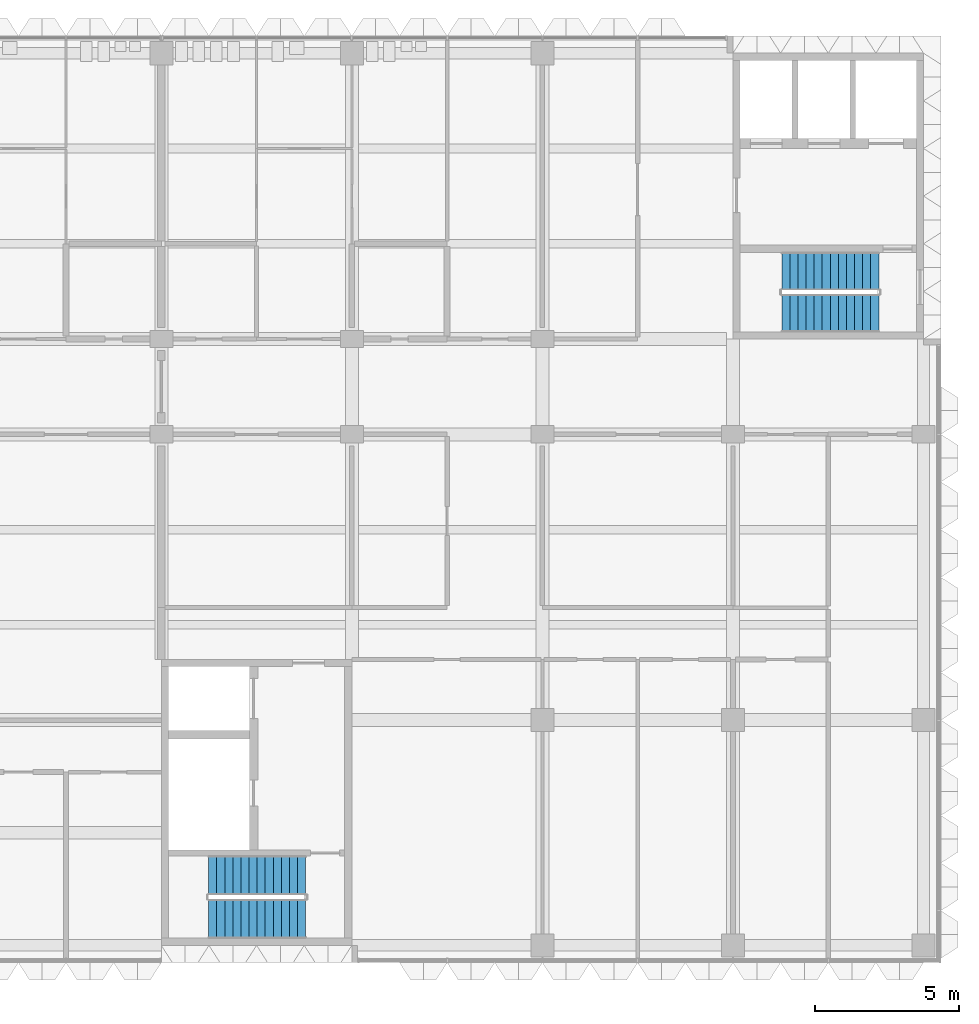
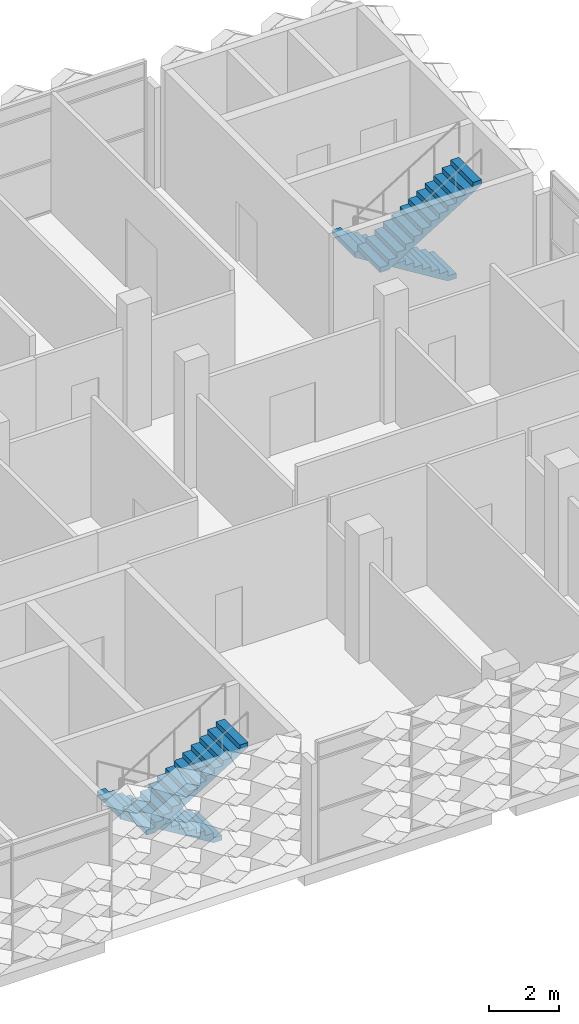
# One storey, part 26 of 61: 4 stair flights, 2 elements without a shape of their own.
"""IFC4 building model written with IfcOpenShell, lengths in metres."""

from ifc_helpers import new_model, si_unit, direction, frame, origin, place, context, subcontext, project, spatial, polyline, outline, extrude, material, type_object, element, aggregate, save


model = new_model("IFC4")

# Units and contexts
model_context = context("Model", 3, precision=1e-05, world=origin(), true_north=direction((0.0, 1.0)))
body_context = subcontext(model_context, "Body", "Model", "MODEL_VIEW")
ifc_project = project(units=[si_unit("LENGTHUNIT", "METRE"), si_unit("AREAUNIT", "SQUARE_METRE"), si_unit("VOLUMEUNIT", "CUBIC_METRE"), si_unit("PLANEANGLEUNIT", "RADIAN"), si_unit("MASSUNIT", "GRAM", prefix="KILO")], contexts=[model_context])

# Site, building, storey
site_placement = place(None, origin())
site = spatial("IfcSite", under=ifc_project, at=site_placement, CompositionType="ELEMENT")
building_placement = place(site_placement, origin())
building = spatial("IfcBuilding", under=site, at=building_placement, Name="Lantern Court Research Institute", CompositionType="ELEMENT")
storey_placement = place(building_placement, frame((0.0, 0.0, 23.39990234375)))
storey = spatial("IfcBuildingStorey", under=building, at=storey_placement, Name="L05", CompositionType="ELEMENT", Elevation=23.39990234375)

# Stair, stair flights
ifc_material_1 = material(Name="Concrete C40/50", Category="concrete")
stair_type_1 = type_object("IfcStairType", Name="RC half-turn stair 1300 wide, 4500 rise, 6100 shaft", PredefinedType="HALF_TURN_STAIR", material=ifc_material_1)
stair_1_placement = place(storey_placement, origin())
stair_1 = element("IfcStair", 1, at=stair_1_placement, inside=storey, type_object=stair_type_1, Name="L05 stair ST-T2", PredefinedType="HALF_TURN_STAIR")
ifc_material_2 = material(Name="Concrete C40/50", Category="concrete")
stair_flight_type_1 = type_object("IfcStairFlightType", Name="RC stair flight 1300 wide, 13 risers of 173, going 280", PredefinedType="STRAIGHT", material=ifc_material_2)
stair_flight_1_placement = place(storey_placement, frame((77.64990234375, 15.550048828125, 0.0), z_axis=(0.0, 0.0, 1.0), x_axis=(-1.0, 0.0, 0.0)))
stair_flight_1 = element("IfcStairFlight", 2, at=stair_flight_1_placement, type_object=stair_flight_type_1, Name="ST-T2 flight 1", NumberOfRisers=13, NumberOfTreads=12, PredefinedType="STRAIGHT", RiserHeight=0.173076923, TreadLength=0.28, context=body_context, shape_type="SweptSolid", body=[
    extrude(outline(polyline([(0.0, 0.0), (0.0, 0.173095703125), (0.280029296875, 0.173095703125), (0.280029296875, 0.34619140625), (0.56005859375, 0.34619140625), (0.56005859375, 0.519287109375), (0.840087890625, 0.519287109375), (0.840087890625, 0.6923828125), (1.1201171875, 0.6923828125), (1.1201171875, 0.865478515625), (1.39990234375, 0.865478515625), (1.39990234375, 1.03857421875), (1.679931640625, 1.03857421875), (1.679931640625, 1.21142578125), (1.9599609375, 1.21142578125), (1.9599609375, 1.384521484375), (2.239990234375, 1.384521484375), (2.239990234375, 1.5576171875), (2.52001953125, 1.5576171875), (2.52001953125, 1.730712890625), (2.800048828125, 1.730712890625), (2.800048828125, 1.90380859375), (3.080078125, 1.90380859375), (3.080078125, 2.076904296875), (3.360107421875, 2.076904296875), (3.360107421875, 2.25), (3.360107421875, 1.900634765625), (0.28515625, 0.0), (0.0, 0.0)])), frame((0.0, 0.64990234375, 0.0), z_axis=(0.0, -1.0, 0.0), x_axis=(1.0, 0.0, 0.0)), (0.0, 0.0, 1.0), 1.300048828125),
])
stair_flight_2_placement = place(storey_placement, frame((74.2900390625, 14.10009765625, 2.25), z_axis=(0.0, 0.0, 1.0), x_axis=(1.0, 0.0, 0.0)))
stair_flight_2 = element("IfcStairFlight", 3, at=stair_flight_2_placement, type_object=stair_flight_type_1, Name="ST-T2 flight 2", NumberOfRisers=13, NumberOfTreads=12, PredefinedType="STRAIGHT", RiserHeight=0.173076923, TreadLength=0.28, context=body_context, shape_type="SweptSolid", body=[
    extrude(outline(polyline([(0.0, 0.0), (0.0, 0.173095703125), (0.280029296875, 0.173095703125), (0.280029296875, 0.34619140625), (0.56005859375, 0.34619140625), (0.56005859375, 0.519287109375), (0.840087890625, 0.519287109375), (0.840087890625, 0.6923828125), (1.1201171875, 0.6923828125), (1.1201171875, 0.865478515625), (1.39990234375, 0.865478515625), (1.39990234375, 1.03857421875), (1.679931640625, 1.03857421875), (1.679931640625, 1.21142578125), (1.9599609375, 1.21142578125), (1.9599609375, 1.384521484375), (2.239990234375, 1.384521484375), (2.239990234375, 1.5576171875), (2.52001953125, 1.5576171875), (2.52001953125, 1.730712890625), (2.800048828125, 1.730712890625), (2.800048828125, 1.90380859375), (3.080078125, 1.90380859375), (3.080078125, 2.076904296875), (3.360107421875, 2.076904296875), (3.360107421875, 2.25), (3.360107421875, 1.900634765625), (0.28515625, 0.0), (0.0, 0.0)])), frame((0.0, 0.64990234375, 0.0), z_axis=(0.0, -1.0, 0.0), x_axis=(1.0, 0.0, 0.0)), (0.0, 0.0, 1.0), 1.300048828125),
])
aggregate(stair_1, [stair_flight_1, stair_flight_2])

ifc_material_3 = material(Name="Concrete C40/50", Category="concrete")
stair_type_2 = type_object("IfcStairType", Name="RC half-turn stair 1350 wide, 4500 rise, 6100 shaft", PredefinedType="HALF_TURN_STAIR", material=ifc_material_3)
stair_2_placement = place(storey_placement, origin())
stair_2 = element("IfcStair", 4, at=stair_2_placement, inside=storey, type_object=stair_type_2, Name="L05 stair ST-T1", PredefinedType="HALF_TURN_STAIR")
ifc_material_4 = material(Name="Concrete C40/50", Category="concrete")
stair_flight_type_2 = type_object("IfcStairFlightType", Name="RC stair flight 1350 wide, 13 risers of 173, going 280", PredefinedType="STRAIGHT", material=ifc_material_4)
stair_flight_3_placement = place(storey_placement, frame((57.800048828125, -5.375, 0.0), z_axis=(0.0, 0.0, 1.0), x_axis=(-1.0, 0.0, 0.0)))
stair_flight_3 = element("IfcStairFlight", 5, at=stair_flight_3_placement, type_object=stair_flight_type_2, Name="ST-T1 flight 1", NumberOfRisers=13, NumberOfTreads=12, PredefinedType="STRAIGHT", RiserHeight=0.173076923, TreadLength=0.28, context=body_context, shape_type="SweptSolid", body=[
    extrude(outline(polyline([(0.0, 0.0), (0.0, 0.173095703125), (0.280029296875, 0.173095703125), (0.280029296875, 0.34619140625), (0.56005859375, 0.34619140625), (0.56005859375, 0.519287109375), (0.840087890625, 0.519287109375), (0.840087890625, 0.6923828125), (1.1201171875, 0.6923828125), (1.1201171875, 0.865478515625), (1.39990234375, 0.865478515625), (1.39990234375, 1.03857421875), (1.679931640625, 1.03857421875), (1.679931640625, 1.21142578125), (1.9599609375, 1.21142578125), (1.9599609375, 1.384521484375), (2.239990234375, 1.384521484375), (2.239990234375, 1.5576171875), (2.52001953125, 1.5576171875), (2.52001953125, 1.730712890625), (2.800048828125, 1.730712890625), (2.800048828125, 1.90380859375), (3.080078125, 1.90380859375), (3.080078125, 2.076904296875), (3.360107421875, 2.076904296875), (3.360107421875, 2.25), (3.360107421875, 1.900634765625), (0.28515625, 0.0), (0.0, 0.0)])), frame((0.0, 0.675048828125, 0.0), z_axis=(0.0, -1.0, 0.0), x_axis=(1.0, 0.0, 0.0)), (0.0, 0.0, 1.0), 1.35009765625),
])
stair_flight_4_placement = place(storey_placement, frame((54.43994140625, -6.875, 2.25), z_axis=(0.0, 0.0, 1.0), x_axis=(1.0, 0.0, 0.0)))
stair_flight_4 = element("IfcStairFlight", 6, at=stair_flight_4_placement, type_object=stair_flight_type_2, Name="ST-T1 flight 2", NumberOfRisers=13, NumberOfTreads=12, PredefinedType="STRAIGHT", RiserHeight=0.173076923, TreadLength=0.28, context=body_context, shape_type="SweptSolid", body=[
    extrude(outline(polyline([(0.0, 0.0), (0.0, 0.173095703125), (0.280029296875, 0.173095703125), (0.280029296875, 0.34619140625), (0.56005859375, 0.34619140625), (0.56005859375, 0.519287109375), (0.840087890625, 0.519287109375), (0.840087890625, 0.6923828125), (1.1201171875, 0.6923828125), (1.1201171875, 0.865478515625), (1.39990234375, 0.865478515625), (1.39990234375, 1.03857421875), (1.679931640625, 1.03857421875), (1.679931640625, 1.21142578125), (1.9599609375, 1.21142578125), (1.9599609375, 1.384521484375), (2.239990234375, 1.384521484375), (2.239990234375, 1.5576171875), (2.52001953125, 1.5576171875), (2.52001953125, 1.730712890625), (2.800048828125, 1.730712890625), (2.800048828125, 1.90380859375), (3.080078125, 1.90380859375), (3.080078125, 2.076904296875), (3.360107421875, 2.076904296875), (3.360107421875, 2.25), (3.360107421875, 1.900634765625), (0.28515625, 0.0), (0.0, 0.0)])), frame((0.0, 0.675048828125, 0.0), z_axis=(0.0, -1.0, 0.0), x_axis=(1.0, 0.0, 0.0)), (0.0, 0.0, 1.0), 1.35009765625),
])
aggregate(stair_2, [stair_flight_3, stair_flight_4])

save(model, "model.ifc")
